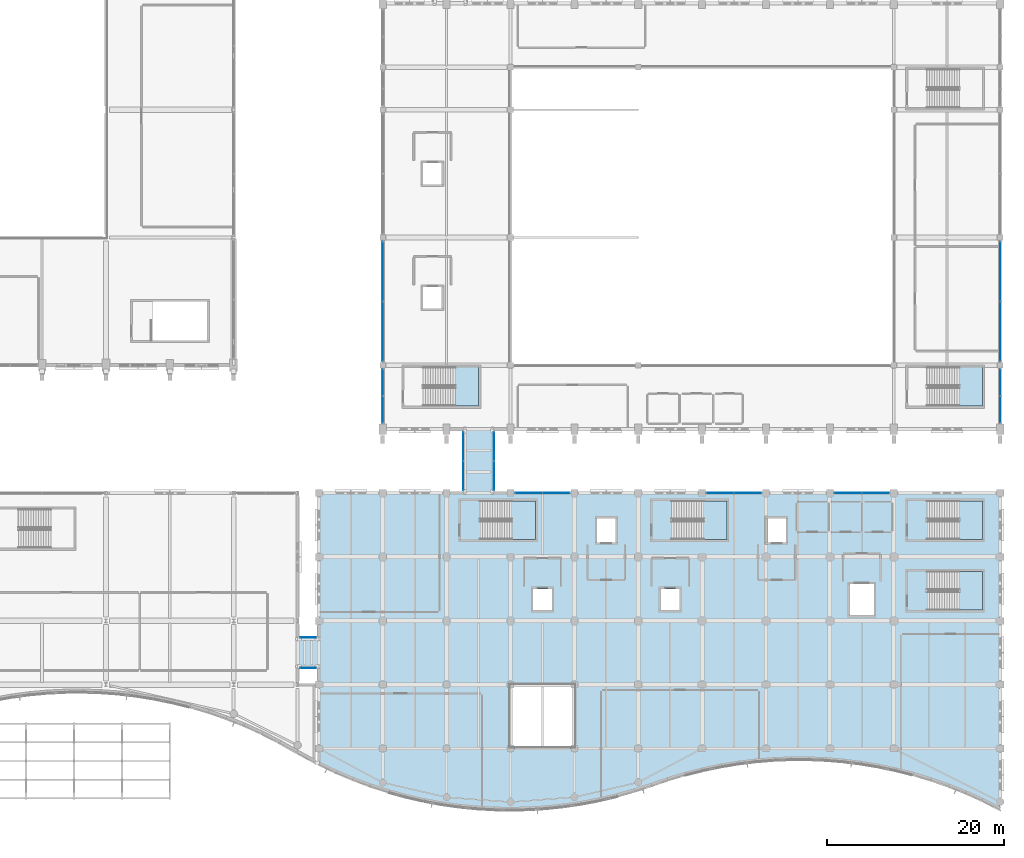
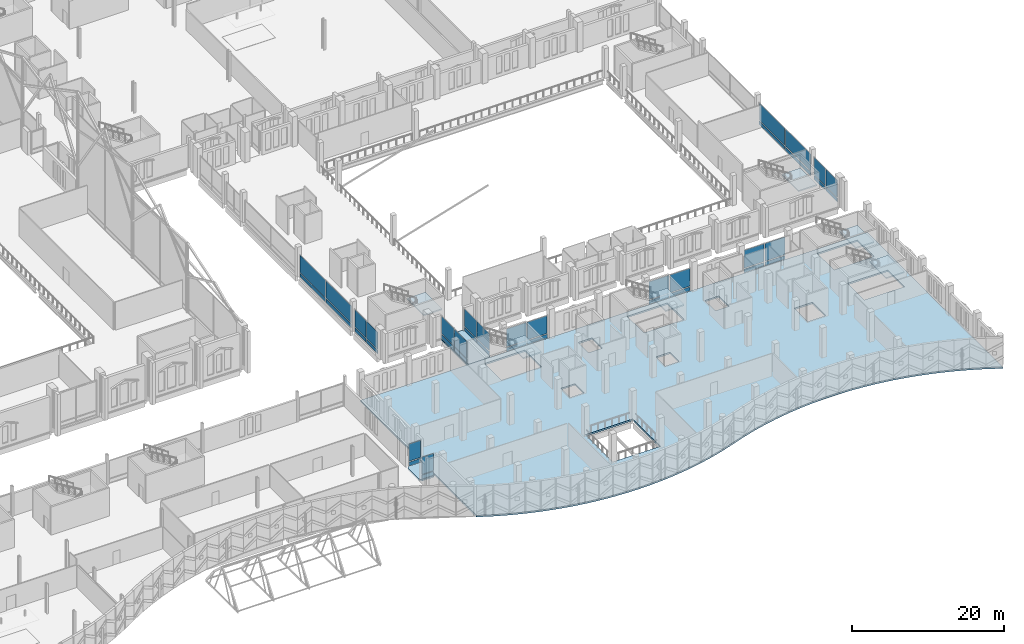
# One storey, part 132 of 220: 40 plates, 9 slabs, 17 elements without a shape of their own.
"""IFC4 building model written with IfcOpenShell, lengths in metres."""

import ifcopenshell
import ifcopenshell.guid

model = None  # the IFC model being written
_history = None  # IfcOwnerHistory: only IFC2X3 demands one
_inside = {}  # id of a spatial element -> (the spatial element, [elements in it])
_under = {}  # id of a project, library or spatial element -> (it, [spatial elements below it])
_declared = {}  # id of a project -> (the project, [libraries it declares])
_typed = {}  # id of a type object -> (the type object, [elements of that type])
_made_of = {}  # id of a material, layer set ... -> (it, [elements and type objects made of it])


def new_model(schema):
    """Start an empty IFC model of exactly this schema.

    Asked for "IFC4X3", IfcOpenShell would pick the latest addendum, in which some entities
    have other attributes; the version numbers below select the first issue.
    IFC2X3 requires an IfcOwnerHistory on every rooted entity: one is made here for all.
    """
    global model, _history
    if schema == "IFC4X3":
        model = ifcopenshell.file(schema_version=(4, 3, 0, 0))
    else:
        model = ifcopenshell.file(schema=schema)
    _inside.clear()
    _under.clear()
    _declared.clear()
    _typed.clear()
    _made_of.clear()
    _history = None
    if model.schema == "IFC2X3":
        org = make("IfcOrganization", Name="unknown")
        user = make(
            "IfcPersonAndOrganization",
            ThePerson=make("IfcPerson", FamilyName="unknown"),
            TheOrganization=org,
        )
        app = make(
            "IfcApplication",
            ApplicationDeveloper=org,
            Version="unknown",
            ApplicationFullName="unknown",
            ApplicationIdentifier="unknown",
        )
        _history = make(
            "IfcOwnerHistory",
            OwningUser=user,
            OwningApplication=app,
            ChangeAction="ADDED",
            CreationDate=0,
        )
    return model


def make(cls, **values):
    """One entity of the class cls with the attributes given. An attribute that is None is left unset."""
    return model.create_entity(
        cls, **{name: value for name, value in values.items() if value is not None}
    )


def rooted(cls, **values):
    """An entity with a GlobalId (a new one), such as an element, a storey or a relation."""
    return make(cls, GlobalId=ifcopenshell.guid.new(), OwnerHistory=_history, **values)


def si_unit(unit_type, name, prefix=None):
    """IfcSIUnit, for example si_unit("LENGTHUNIT", "METRE", prefix="MILLI")."""
    return make("IfcSIUnit", UnitType=unit_type, Prefix=prefix, Name=name)


def assignment(units):
    """IfcUnitAssignment: the units of a project."""
    return None if units is None else make("IfcUnitAssignment", Units=units)


def point(xyz):
    """IfcCartesianPoint."""
    return None if xyz is None else make("IfcCartesianPoint", Coordinates=xyz)


def direction(xyz):
    """IfcDirection."""
    return None if xyz is None else make("IfcDirection", DirectionRatios=xyz)


def frame(location, z_axis=None, x_axis=None):
    """IfcAxis2Placement3D, a coordinate frame: its origin and axes. An axis left out is left unset."""
    return make(
        "IfcAxis2Placement3D",
        Location=point(location),
        Axis=direction(z_axis),
        RefDirection=direction(x_axis),
    )


def frame_2d(location, x_axis=None):
    """IfcAxis2Placement2D, a coordinate frame in the plane: its origin and x axis."""
    return make(
        "IfcAxis2Placement2D", Location=point(location), RefDirection=direction(x_axis)
    )


def origin():
    """The frame at (0, 0, 0) with its axes left unset."""
    return frame((0.0, 0.0, 0.0))


def origin_2d():
    """The frame at (0, 0) in the plane with its x axis left unset."""
    return frame_2d((0.0, 0.0))


def place(relative_to, where):
    """IfcLocalPlacement: puts the frame where relative to a parent placement (None: the world)."""
    return make(
        "IfcLocalPlacement", PlacementRelTo=relative_to, RelativePlacement=where
    )


def context(
    kind, dimensions, precision=None, world=None, true_north=None, identifier=None
):
    """IfcGeometricRepresentationContext, for example the 3D "Model" context."""
    return make(
        "IfcGeometricRepresentationContext",
        ContextIdentifier=identifier,
        ContextType=kind,
        CoordinateSpaceDimension=dimensions,
        Precision=precision,
        WorldCoordinateSystem=world,
        TrueNorth=true_north,
    )


def subcontext(parent, identifier, kind, view, scale=None):
    """IfcGeometricRepresentationSubContext, for example "Body" below "Model"."""
    return make(
        "IfcGeometricRepresentationSubContext",
        ContextIdentifier=identifier,
        ContextType=kind,
        ParentContext=parent,
        TargetScale=scale,
        TargetView=view,
    )


def project(units=None, contexts=None):
    """IfcProject with its units and contexts."""
    return rooted(
        "IfcProject",
        Name="project",
        RepresentationContexts=contexts,
        UnitsInContext=assignment(units),
    )


def spatial(cls, under=None, at=None, **own):
    """A site, building, storey or space (cls), placed at a placement, below another one or the project."""
    s = rooted(cls, ObjectPlacement=at, **own)
    if under is not None:
        _under.setdefault(under.id(), (under, []))[1].append(s)
    return s


def polyline(points):
    """IfcPolyline through the points."""
    return make("IfcPolyline", Points=[point(p) for p in points])


def profile(cls, at=None, kind="AREA", **sizes):
    """A parametric profile (cls). Its sizes go by their IFC names, for example OverallWidth=200.0."""
    return make(cls, ProfileType=kind, Position=at, **sizes)


def rectangle(**sizes):
    """IfcRectangleProfileDef."""
    return profile("IfcRectangleProfileDef", **sizes)


def outline(outer, holes=None, kind="AREA"):
    """IfcArbitraryClosedProfileDef: a profile drawn as a closed curve; with holes, ...WithVoids."""
    if holes is None:
        return make("IfcArbitraryClosedProfileDef", ProfileType=kind, OuterCurve=outer)
    return make(
        "IfcArbitraryProfileDefWithVoids",
        ProfileType=kind,
        OuterCurve=outer,
        InnerCurves=holes,
    )


def extrude(swept, where, along, depth):
    """IfcExtrudedAreaSolid: the profile swept, set in the frame where, extruded along a direction by depth."""
    return make(
        "IfcExtrudedAreaSolid",
        SweptArea=swept,
        Position=where,
        ExtrudedDirection=direction(along),
        Depth=depth,
    )


def shape(context_of_items, identifier, shape_type, items):
    """IfcShapeRepresentation: the items that make up one representation, for example the "Body"."""
    return make(
        "IfcShapeRepresentation",
        ContextOfItems=context_of_items,
        RepresentationIdentifier=identifier,
        RepresentationType=shape_type,
        Items=items,
    )


def material(Name=None, Category=None):
    """IfcMaterial."""
    return make("IfcMaterial", Name=Name, Category=Category)


def layer(
    of_material, thickness, ventilated=None, Name=None, Category=None, Priority=None
):
    """IfcMaterialLayer: one layer of a wall or slab, of a material (None: an air gap)."""
    return make(
        "IfcMaterialLayer",
        Material=of_material,
        LayerThickness=thickness,
        IsVentilated=ventilated,
        Name=Name,
        Category=Category,
        Priority=Priority,
    )


def layer_set(layers, Name=None):
    """IfcMaterialLayerSet."""
    return make("IfcMaterialLayerSet", MaterialLayers=layers, LayerSetName=Name)


def made_of(thing, what):
    """Note that an element or type object is made of a material, layer set ...; save() writes the relation."""
    if what is not None:
        _made_of.setdefault(what.id(), (what, []))[1].append(thing)
    return thing


def type_object(cls, material=None, **own):
    """A type object (cls), such as IfcWallType, which elements share."""
    return made_of(rooted(cls, **own), material)


def element(
    cls,
    number,
    at=None,
    inside=None,
    cuts=None,
    type_object=None,
    material=None,
    context=None,
    identifier="Body",
    shape_type=None,
    held_by="IfcProductDefinitionShape",
    body=None,
    shapes=None,
    **own,
):
    """One element of the class cls, such as IfcWall. Its Tag is "e" and its number.

    at: its placement. inside: the storey or other place that contains it. cuts: it is an
    opening in that element (IfcRelVoidsElement). A single representation is given by context,
    identifier, shape_type and body (its items); several are given by shapes. held_by: the class
    of the entity that holds the representations. save() writes the other relations.
    """
    e = rooted(cls, Tag="e%d" % number, ObjectPlacement=at, **own)
    if body is not None:
        shapes = [shape(context, identifier, shape_type, body)]
    if shapes is not None:
        e.Representation = make(held_by, Representations=shapes)
    if inside is not None:
        _inside.setdefault(inside.id(), (inside, []))[1].append(e)
    if cuts is not None:
        rooted(
            "IfcRelVoidsElement", RelatingBuildingElement=cuts, RelatedOpeningElement=e
        )
    if type_object is not None:
        _typed.setdefault(type_object.id(), (type_object, []))[1].append(e)
    return made_of(e, material)


def aggregate(whole, parts):
    """IfcRelAggregates: a whole, such as a stair, and the parts it consists of."""
    return rooted("IfcRelAggregates", RelatingObject=whole, RelatedObjects=parts)


def save(model, path):
    """Write the relations noted so far, then the file.

    IfcRelAggregates (storeys below a building ...), IfcRelContainedInSpatialStructure (elements
    in a storey), IfcRelDefinesByType, IfcRelAssociatesMaterial and IfcRelDeclares: one each for
    every whole, place, type object, material and project.
    """
    for whole, parts in _under.values():
        aggregate(whole, parts)
    for where, things in _inside.values():
        rooted(
            "IfcRelContainedInSpatialStructure",
            RelatedElements=things,
            RelatingStructure=where,
        )
    for kind, things in _typed.values():
        rooted("IfcRelDefinesByType", RelatedObjects=things, RelatingType=kind)
    for what, things in _made_of.values():
        rooted("IfcRelAssociatesMaterial", RelatedObjects=things, RelatingMaterial=what)
    for by, libraries in _declared.values():
        rooted("IfcRelDeclares", RelatingContext=by, RelatedDefinitions=libraries)
    model.write(path)


model = new_model("IFC4")

# Units and contexts
model_context = context("Model", 3, precision=1e-05, world=origin(), true_north=direction((0.0, 1.0)))
body_context = subcontext(model_context, "Body", "Model", "MODEL_VIEW")
ifc_project = project(units=[si_unit("LENGTHUNIT", "METRE"), si_unit("AREAUNIT", "SQUARE_METRE"), si_unit("VOLUMEUNIT", "CUBIC_METRE"), si_unit("PLANEANGLEUNIT", "RADIAN"), si_unit("MASSUNIT", "GRAM", prefix="KILO")], contexts=[model_context])

# Site, building, storey
site_placement = place(None, origin())
site = spatial("IfcSite", under=ifc_project, at=site_placement, CompositionType="ELEMENT")
building_placement = place(site_placement, origin())
building = spatial("IfcBuilding", under=site, at=building_placement, Name="Cendralis Lancet Convention Centre", CompositionType="ELEMENT")
storey_placement = place(building_placement, frame((0.0, 0.0, 5.39990234375)))
storey = spatial("IfcBuildingStorey", under=building, at=storey_placement, Name="L01", CompositionType="ELEMENT", Elevation=5.39990234375)

# Curtain wall, plate
ifc_material_1 = material(Name="Anodised bronze architectural aluminium", Category="aluminium")
curtain_wall_type_1 = type_object("IfcCurtainWallType", Name="ARC-CW-BR01", PredefinedType="USERDEFINED", material=ifc_material_1)
curtain_wall_1_placement = place(storey_placement, origin())
curtain_wall_1 = element("IfcCurtainWall", 1, at=curtain_wall_1_placement, inside=storey, type_object=curtain_wall_type_1, Name="L01 Curtain Wall CW-BR1 #203", ObjectType="CURTAIN WALL", PredefinedType="USERDEFINED")
ifc_material_2 = material(Name="Double-glazed low-E solar-control glass", Category="glass")
ifc_layer_1 = layer(ifc_material_2, 0.035888671875, Name="Double-glazed low-E solar-control glass")
ifc_layer_set_1 = layer_set([ifc_layer_1], Name="Double-glazed low-E solar-control glass")
plate_type_1 = type_object("IfcPlateType", Name="ARC-PL-GL01", PredefinedType="CURTAIN_PANEL", material=ifc_layer_set_1)
plate_1_placement = place(storey_placement, frame((130.800048828125, 16.280029296875, 0.820068359375), z_axis=(0.0, 0.0, 1.0), x_axis=(1.0, 0.0, 0.0)))
plate_1 = element("IfcPlate", 2, at=plate_1_placement, type_object=plate_type_1, Name="Vision Glass Panel CW2-CW-BR1-L01-203-PG0", PredefinedType="CURTAIN_PANEL", context=body_context, shape_type="SweptSolid", body=[
    extrude(rectangle(XDim=1.760009765625, YDim=0.035888671875, at=origin_2d()), origin(), (0.0, 0.0, 1.0), 2.7451171875),
])

curtain_wall_2_placement = place(storey_placement, origin())
curtain_wall_2 = element("IfcCurtainWall", 3, at=curtain_wall_2_placement, inside=storey, type_object=curtain_wall_type_1, Name="L01 Curtain Wall CW-BR1 #204", ObjectType="CURTAIN WALL", PredefinedType="USERDEFINED")
plate_2_placement = place(storey_placement, frame((130.800048828125, 19.719970703125, 0.820068359375), z_axis=(0.0, 0.0, 1.0), x_axis=(1.0, 0.0, 0.0)))
plate_2 = element("IfcPlate", 4, at=plate_2_placement, type_object=plate_type_1, Name="Vision Glass Panel CW2-CW-BR1-L01-204-PG0", PredefinedType="CURTAIN_PANEL", context=body_context, shape_type="SweptSolid", body=[
    extrude(rectangle(XDim=1.760009765625, YDim=0.035888671875, at=origin_2d()), origin(), (0.0, 0.0, 1.0), 2.7451171875),
])

# Curtain wall, plates
curtain_wall_3_placement = place(storey_placement, origin())
curtain_wall_3 = element("IfcCurtainWall", 5, at=curtain_wall_3_placement, inside=storey, type_object=curtain_wall_type_1, Name="L01 Curtain Wall CW-BR1 #213", ObjectType="CURTAIN WALL", PredefinedType="USERDEFINED")
plate_3_placement = place(storey_placement, frame((148.280029296875, 37.925048828125, 0.820068359375), z_axis=(0.0, 0.0, 1.0), x_axis=(0.0, 1.0, 0.0)))
plate_3 = element("IfcPlate", 6, at=plate_3_placement, type_object=plate_type_1, Name="Vision Glass Panel CW2-CW-BR1-L01-213-PG0", PredefinedType="CURTAIN_PANEL", context=body_context, shape_type="SweptSolid", body=[
    extrude(rectangle(XDim=3.2099609375, YDim=0.035888671875, at=origin_2d()), origin(), (0.0, 0.0, 1.0), 2.7451171875),
])
plate_4_placement = place(storey_placement, frame((148.280029296875, 41.27490234375, 0.820068359375), z_axis=(0.0, 0.0, 1.0), x_axis=(0.0, 1.0, 0.0)))
plate_4 = element("IfcPlate", 7, at=plate_4_placement, type_object=plate_type_1, Name="Vision Glass Panel CW2-CW-BR1-L01-213-PG1", PredefinedType="CURTAIN_PANEL", context=body_context, shape_type="SweptSolid", body=[
    extrude(rectangle(XDim=3.2099609375, YDim=0.035888671875, at=origin_2d()), origin(), (0.0, 0.0, 1.0), 2.7451171875),
])

curtain_wall_4_placement = place(storey_placement, origin())
curtain_wall_4 = element("IfcCurtainWall", 8, at=curtain_wall_4_placement, inside=storey, type_object=curtain_wall_type_1, Name="L01 Curtain Wall CW-BR1 #214", ObjectType="CURTAIN WALL", PredefinedType="USERDEFINED")
plate_5_placement = place(storey_placement, frame((151.719970703125, 37.925048828125, 0.820068359375), z_axis=(0.0, 0.0, 1.0), x_axis=(0.0, 1.0, 0.0)))
plate_5 = element("IfcPlate", 9, at=plate_5_placement, type_object=plate_type_1, Name="Vision Glass Panel CW2-CW-BR1-L01-214-PG0", PredefinedType="CURTAIN_PANEL", context=body_context, shape_type="SweptSolid", body=[
    extrude(rectangle(XDim=3.2099609375, YDim=0.035888671875, at=origin_2d()), origin(), (0.0, 0.0, 1.0), 2.7451171875),
])
plate_6_placement = place(storey_placement, frame((151.719970703125, 41.27490234375, 0.820068359375), z_axis=(0.0, 0.0, 1.0), x_axis=(0.0, 1.0, 0.0)))
plate_6 = element("IfcPlate", 10, at=plate_6_placement, type_object=plate_type_1, Name="Vision Glass Panel CW2-CW-BR1-L01-214-PG1", PredefinedType="CURTAIN_PANEL", context=body_context, shape_type="SweptSolid", body=[
    extrude(rectangle(XDim=3.2099609375, YDim=0.035888671875, at=origin_2d()), origin(), (0.0, 0.0, 1.0), 2.7451171875),
])

curtain_wall_type_2 = type_object("IfcCurtainWallType", Name="ARC-CW-PL01", PredefinedType="USERDEFINED", material=ifc_material_1)
curtain_wall_5_placement = place(storey_placement, origin())
curtain_wall_5 = element("IfcCurtainWall", 11, at=curtain_wall_5_placement, inside=storey, type_object=curtain_wall_type_2, Name="L01 Curtain Wall CW-PL1 #121", ObjectType="CURTAIN WALL", PredefinedType="USERDEFINED")
ifc_layer_2 = layer(ifc_material_2, 0.035888671875, Name="Double-glazed low-E solar-control glass")
ifc_layer_set_2 = layer_set([ifc_layer_2], Name="Double-glazed low-E solar-control glass")
plate_type_2 = type_object("IfcPlateType", Name="ARC-PL-GL02", PredefinedType="CURTAIN_PANEL", material=ifc_layer_set_2)
plate_7_placement = place(storey_placement, frame((208.800048828125, 48.481201171875, 0.830078125), z_axis=(0.0, 0.0, 1.0), x_axis=(0.0, -1.0, 0.0)))
plate_7 = element("IfcPlate", 12, at=plate_7_placement, type_object=plate_type_2, Name="Vision Glass Panel CW2-CW-PL1-L01-121-PG0", PredefinedType="CURTAIN_PANEL", context=body_context, shape_type="SweptSolid", body=[
    extrude(rectangle(XDim=2.927490234375, YDim=0.035888671875, at=origin_2d()), origin(), (0.0, 0.0, 1.0), 2.72509765625),
])
plate_8_placement = place(storey_placement, frame((208.800048828125, 45.393798828125, 0.830078125), z_axis=(0.0, 0.0, 1.0), x_axis=(0.0, -1.0, 0.0)))
plate_8 = element("IfcPlate", 13, at=plate_8_placement, type_object=plate_type_2, Name="Vision Glass Panel CW2-CW-PL1-L01-121-PG1", PredefinedType="CURTAIN_PANEL", context=body_context, shape_type="SweptSolid", body=[
    extrude(rectangle(XDim=2.927490234375, YDim=0.035888671875, at=origin_2d()), origin(), (0.0, 0.0, 1.0), 2.72509765625),
])

curtain_wall_6_placement = place(storey_placement, origin())
curtain_wall_6 = element("IfcCurtainWall", 14, at=curtain_wall_6_placement, inside=storey, type_object=curtain_wall_type_2, Name="L01 Curtain Wall CW-PL1 #122", ObjectType="CURTAIN WALL", PredefinedType="USERDEFINED")
plate_9_placement = place(storey_placement, frame((208.800048828125, 61.012451171875, 0.830078125), z_axis=(0.0, 0.0, 1.0), x_axis=(0.0, -1.0, 0.0)))
plate_9 = element("IfcPlate", 15, at=plate_9_placement, type_object=plate_type_2, Name="Vision Glass Panel CW2-CW-PL1-L01-122-PG0", PredefinedType="CURTAIN_PANEL", context=body_context, shape_type="SweptSolid", body=[
    extrude(rectangle(XDim=6.6650390625, YDim=0.035888671875, at=origin_2d()), origin(), (0.0, 0.0, 1.0), 2.72509765625),
])
plate_10_placement = place(storey_placement, frame((208.800048828125, 54.1875, 0.830078125), z_axis=(0.0, 0.0, 1.0), x_axis=(0.0, -1.0, 0.0)))
plate_10 = element("IfcPlate", 16, at=plate_10_placement, type_object=plate_type_2, Name="Vision Glass Panel CW2-CW-PL1-L01-122-PG1", PredefinedType="CURTAIN_PANEL", context=body_context, shape_type="SweptSolid", body=[
    extrude(rectangle(XDim=6.6650390625, YDim=0.035888671875, at=origin_2d()), origin(), (0.0, 0.0, 1.0), 2.72509765625),
])

curtain_wall_7_placement = place(storey_placement, origin())
curtain_wall_7 = element("IfcCurtainWall", 17, at=curtain_wall_7_placement, inside=storey, type_object=curtain_wall_type_2, Name="L01 Curtain Wall CW-PL1 #116", ObjectType="CURTAIN WALL", PredefinedType="USERDEFINED")
ifc_layer_3 = layer(ifc_material_2, 0.035888671875, Name="Double-glazed low-E solar-control glass")
ifc_layer_set_3 = layer_set([ifc_layer_3], Name="Double-glazed low-E solar-control glass")
plate_type_3 = type_object("IfcPlateType", Name="ARC-PL-GL03", PredefinedType="CURTAIN_PANEL", material=ifc_layer_set_3)
plate_11_placement = place(storey_placement, frame((139.199951171875, 45.393798828125, 0.820068359375), z_axis=(0.0, 0.0, 1.0), x_axis=(0.0, 1.0, 0.0)))
plate_11 = element("IfcPlate", 18, at=plate_11_placement, type_object=plate_type_3, Name="Vision Glass Panel CW2-CW-PL1-L01-116-PG0", PredefinedType="CURTAIN_PANEL", context=body_context, shape_type="SweptSolid", body=[
    extrude(rectangle(XDim=2.927490234375, YDim=0.035888671875, at=origin_2d()), origin(), (0.0, 0.0, 1.0), 2.7451171875),
])
plate_12_placement = place(storey_placement, frame((139.199951171875, 48.481201171875, 0.820068359375), z_axis=(0.0, 0.0, 1.0), x_axis=(0.0, 1.0, 0.0)))
plate_12 = element("IfcPlate", 19, at=plate_12_placement, type_object=plate_type_3, Name="Vision Glass Panel CW2-CW-PL1-L01-116-PG1", PredefinedType="CURTAIN_PANEL", context=body_context, shape_type="SweptSolid", body=[
    extrude(rectangle(XDim=2.927490234375, YDim=0.035888671875, at=origin_2d()), origin(), (0.0, 0.0, 1.0), 2.7451171875),
])

curtain_wall_8_placement = place(storey_placement, origin())
curtain_wall_8 = element("IfcCurtainWall", 20, at=curtain_wall_8_placement, inside=storey, type_object=curtain_wall_type_2, Name="L01 Curtain Wall CW-PL1 #117", ObjectType="CURTAIN WALL", PredefinedType="USERDEFINED")
plate_13_placement = place(storey_placement, frame((139.199951171875, 54.1875, 0.820068359375), z_axis=(0.0, 0.0, 1.0), x_axis=(0.0, 1.0, 0.0)))
plate_13 = element("IfcPlate", 21, at=plate_13_placement, type_object=plate_type_3, Name="Vision Glass Panel CW2-CW-PL1-L01-117-PG0", PredefinedType="CURTAIN_PANEL", context=body_context, shape_type="SweptSolid", body=[
    extrude(rectangle(XDim=6.6650390625, YDim=0.035888671875, at=origin_2d()), origin(), (0.0, 0.0, 1.0), 2.7451171875),
])
plate_14_placement = place(storey_placement, frame((139.199951171875, 61.012451171875, 0.820068359375), z_axis=(0.0, 0.0, 1.0), x_axis=(0.0, 1.0, 0.0)))
plate_14 = element("IfcPlate", 22, at=plate_14_placement, type_object=plate_type_3, Name="Vision Glass Panel CW2-CW-PL1-L01-117-PG1", PredefinedType="CURTAIN_PANEL", context=body_context, shape_type="SweptSolid", body=[
    extrude(rectangle(XDim=6.6650390625, YDim=0.035888671875, at=origin_2d()), origin(), (0.0, 0.0, 1.0), 2.7451171875),
])

curtain_wall_type_3 = type_object("IfcCurtainWallType", Name="ARC-CW-CL02", PredefinedType="USERDEFINED", material=ifc_material_1)
curtain_wall_9_placement = place(storey_placement, origin())
curtain_wall_9 = element("IfcCurtainWall", 23, at=curtain_wall_9_placement, inside=storey, type_object=curtain_wall_type_3, Name="L01 Curtain Wall CW-CL2 #182", ObjectType="CURTAIN WALL", PredefinedType="USERDEFINED")
plate_15_placement = place(storey_placement, frame((155.625, 36.0, 0.8203125), z_axis=(0.0, 0.0, 1.0), x_axis=(1.0, 0.0, 0.0)))
plate_15 = element("IfcPlate", 24, at=plate_15_placement, type_object=plate_type_3, Name="Vision Glass Panel CW2-CW-CL2-L01-182-PG0", PredefinedType="CURTAIN_PANEL", context=body_context, shape_type="SweptSolid", body=[
    extrude(rectangle(XDim=3.010009765625, YDim=0.035888671875, at=origin_2d()), origin(), (0.0, 0.0, 1.0), 2.844970703125),
])
plate_16_placement = place(storey_placement, frame((158.77490234375, 36.0, 0.8203125), z_axis=(0.0, 0.0, 1.0), x_axis=(1.0, 0.0, 0.0)))
plate_16 = element("IfcPlate", 25, at=plate_16_placement, type_object=plate_type_3, Name="Vision Glass Panel CW2-CW-CL2-L01-182-PG1", PredefinedType="CURTAIN_PANEL", context=body_context, shape_type="SweptSolid", body=[
    extrude(rectangle(XDim=3.010009765625, YDim=0.035888671875, at=origin_2d()), origin(), (0.0, 0.0, 1.0), 2.844970703125),
])

curtain_wall_10_placement = place(storey_placement, origin())
curtain_wall_10 = element("IfcCurtainWall", 26, at=curtain_wall_10_placement, inside=storey, type_object=curtain_wall_type_3, Name="L01 Curtain Wall CW-CL2 #183", ObjectType="CURTAIN WALL", PredefinedType="USERDEFINED")
plate_17_placement = place(storey_placement, frame((177.22509765625, 36.0, 0.8203125), z_axis=(0.0, 0.0, 1.0), x_axis=(1.0, 0.0, 0.0)))
plate_17 = element("IfcPlate", 27, at=plate_17_placement, type_object=plate_type_3, Name="Vision Glass Panel CW2-CW-CL2-L01-183-PG0", PredefinedType="CURTAIN_PANEL", context=body_context, shape_type="SweptSolid", body=[
    extrude(rectangle(XDim=3.010009765625, YDim=0.035888671875, at=origin_2d()), origin(), (0.0, 0.0, 1.0), 2.844970703125),
])
plate_18_placement = place(storey_placement, frame((180.375, 36.0, 0.8203125), z_axis=(0.0, 0.0, 1.0), x_axis=(1.0, 0.0, 0.0)))
plate_18 = element("IfcPlate", 28, at=plate_18_placement, type_object=plate_type_3, Name="Vision Glass Panel CW2-CW-CL2-L01-183-PG1", PredefinedType="CURTAIN_PANEL", context=body_context, shape_type="SweptSolid", body=[
    extrude(rectangle(XDim=3.010009765625, YDim=0.035888671875, at=origin_2d()), origin(), (0.0, 0.0, 1.0), 2.844970703125),
])

curtain_wall_11_placement = place(storey_placement, origin())
curtain_wall_11 = element("IfcCurtainWall", 29, at=curtain_wall_11_placement, inside=storey, type_object=curtain_wall_type_3, Name="L01 Curtain Wall CW-CL2 #184", ObjectType="CURTAIN WALL", PredefinedType="USERDEFINED")
plate_19_placement = place(storey_placement, frame((191.625, 36.0, 0.8203125), z_axis=(0.0, 0.0, 1.0), x_axis=(1.0, 0.0, 0.0)))
plate_19 = element("IfcPlate", 30, at=plate_19_placement, type_object=plate_type_3, Name="Vision Glass Panel CW2-CW-CL2-L01-184-PG0", PredefinedType="CURTAIN_PANEL", context=body_context, shape_type="SweptSolid", body=[
    extrude(rectangle(XDim=3.010009765625, YDim=0.035888671875, at=origin_2d()), origin(), (0.0, 0.0, 1.0), 2.844970703125),
])
plate_20_placement = place(storey_placement, frame((194.77490234375, 36.0, 0.8203125), z_axis=(0.0, 0.0, 1.0), x_axis=(1.0, 0.0, 0.0)))
plate_20 = element("IfcPlate", 31, at=plate_20_placement, type_object=plate_type_3, Name="Vision Glass Panel CW2-CW-CL2-L01-184-PG1", PredefinedType="CURTAIN_PANEL", context=body_context, shape_type="SweptSolid", body=[
    extrude(rectangle(XDim=3.010009765625, YDim=0.035888671875, at=origin_2d()), origin(), (0.0, 0.0, 1.0), 2.844970703125),
])

# Plate
ifc_material_3 = material(Name="Insulated ceramic-fritted spandrel glass", Category="glass")
ifc_layer_4 = layer(ifc_material_3, 0.044921875, Name="Insulated ceramic-fritted spandrel glass")
ifc_layer_set_4 = layer_set([ifc_layer_4], Name="Insulated ceramic-fritted spandrel glass")
plate_type_4 = type_object("IfcPlateType", Name="ARC-PL-SP01", PredefinedType="CURTAIN_PANEL", material=ifc_layer_set_4)
plate_21_placement = place(storey_placement, frame((139.199951171875, 45.393798828125, 0.06982421875), z_axis=(0.0, 0.0, 1.0), x_axis=(0.0, 1.0, 0.0)))
plate_21 = element("IfcPlate", 32, at=plate_21_placement, type_object=plate_type_4, Name="Spandrel Panel CW2-CW-PL1-L01-116-PS0", PredefinedType="CURTAIN_PANEL", context=body_context, shape_type="SweptSolid", body=[
    extrude(rectangle(XDim=2.927490234375, YDim=0.044921875, at=origin_2d()), origin(), (0.0, 0.0, 1.0), 0.610107421875),
])

plate_22_placement = place(storey_placement, frame((139.199951171875, 48.481201171875, 0.06982421875), z_axis=(0.0, 0.0, 1.0), x_axis=(0.0, 1.0, 0.0)))
plate_22 = element("IfcPlate", 33, at=plate_22_placement, type_object=plate_type_4, Name="Spandrel Panel CW2-CW-PL1-L01-116-PS1", PredefinedType="CURTAIN_PANEL", context=body_context, shape_type="SweptSolid", body=[
    extrude(rectangle(XDim=2.927490234375, YDim=0.044921875, at=origin_2d()), origin(), (0.0, 0.0, 1.0), 0.610107421875),
])

aggregate(curtain_wall_7, [plate_21, plate_11, plate_22, plate_12])

plate_23_placement = place(storey_placement, frame((139.199951171875, 54.1875, 0.06982421875), z_axis=(0.0, 0.0, 1.0), x_axis=(0.0, 1.0, 0.0)))
plate_23 = element("IfcPlate", 34, at=plate_23_placement, type_object=plate_type_4, Name="Spandrel Panel CW2-CW-PL1-L01-117-PS0", PredefinedType="CURTAIN_PANEL", context=body_context, shape_type="SweptSolid", body=[
    extrude(rectangle(XDim=6.6650390625, YDim=0.044921875, at=origin_2d()), origin(), (0.0, 0.0, 1.0), 0.610107421875),
])

plate_24_placement = place(storey_placement, frame((139.199951171875, 61.012451171875, 0.06982421875), z_axis=(0.0, 0.0, 1.0), x_axis=(0.0, 1.0, 0.0)))
plate_24 = element("IfcPlate", 35, at=plate_24_placement, type_object=plate_type_4, Name="Spandrel Panel CW2-CW-PL1-L01-117-PS1", PredefinedType="CURTAIN_PANEL", context=body_context, shape_type="SweptSolid", body=[
    extrude(rectangle(XDim=6.6650390625, YDim=0.044921875, at=origin_2d()), origin(), (0.0, 0.0, 1.0), 0.610107421875),
])

aggregate(curtain_wall_8, [plate_23, plate_13, plate_24, plate_14])

plate_25_placement = place(storey_placement, frame((208.800048828125, 48.481201171875, 0.080078125), z_axis=(0.0, 0.0, 1.0), x_axis=(0.0, -1.0, 0.0)))
plate_25 = element("IfcPlate", 36, at=plate_25_placement, type_object=plate_type_4, Name="Spandrel Panel CW2-CW-PL1-L01-121-PS0", PredefinedType="CURTAIN_PANEL", context=body_context, shape_type="SweptSolid", body=[
    extrude(rectangle(XDim=2.927490234375, YDim=0.044921875, at=origin_2d()), origin(), (0.0, 0.0, 1.0), 0.590087890625),
])

plate_26_placement = place(storey_placement, frame((208.800048828125, 45.393798828125, 0.080078125), z_axis=(0.0, 0.0, 1.0), x_axis=(0.0, -1.0, 0.0)))
plate_26 = element("IfcPlate", 37, at=plate_26_placement, type_object=plate_type_4, Name="Spandrel Panel CW2-CW-PL1-L01-121-PS1", PredefinedType="CURTAIN_PANEL", context=body_context, shape_type="SweptSolid", body=[
    extrude(rectangle(XDim=2.927490234375, YDim=0.044921875, at=origin_2d()), origin(), (0.0, 0.0, 1.0), 0.590087890625),
])

aggregate(curtain_wall_5, [plate_25, plate_7, plate_26, plate_8])

plate_27_placement = place(storey_placement, frame((208.800048828125, 61.012451171875, 0.080078125), z_axis=(0.0, 0.0, 1.0), x_axis=(0.0, -1.0, 0.0)))
plate_27 = element("IfcPlate", 38, at=plate_27_placement, type_object=plate_type_4, Name="Spandrel Panel CW2-CW-PL1-L01-122-PS0", PredefinedType="CURTAIN_PANEL", context=body_context, shape_type="SweptSolid", body=[
    extrude(rectangle(XDim=6.6650390625, YDim=0.044921875, at=origin_2d()), origin(), (0.0, 0.0, 1.0), 0.590087890625),
])

plate_28_placement = place(storey_placement, frame((208.800048828125, 54.1875, 0.080078125), z_axis=(0.0, 0.0, 1.0), x_axis=(0.0, -1.0, 0.0)))
plate_28 = element("IfcPlate", 39, at=plate_28_placement, type_object=plate_type_4, Name="Spandrel Panel CW2-CW-PL1-L01-122-PS1", PredefinedType="CURTAIN_PANEL", context=body_context, shape_type="SweptSolid", body=[
    extrude(rectangle(XDim=6.6650390625, YDim=0.044921875, at=origin_2d()), origin(), (0.0, 0.0, 1.0), 0.590087890625),
])

aggregate(curtain_wall_6, [plate_27, plate_9, plate_28, plate_10])

plate_29_placement = place(storey_placement, frame((155.625, 36.0, 0.06982421875), z_axis=(0.0, 0.0, 1.0), x_axis=(1.0, 0.0, 0.0)))
plate_29 = element("IfcPlate", 40, at=plate_29_placement, type_object=plate_type_4, Name="Spandrel Panel CW2-CW-CL2-L01-182-PS0", PredefinedType="CURTAIN_PANEL", context=body_context, shape_type="SweptSolid", body=[
    extrude(rectangle(XDim=3.010009765625, YDim=0.044921875, at=origin_2d()), origin(), (0.0, 0.0, 1.0), 0.610107421875),
])

plate_30_placement = place(storey_placement, frame((158.77490234375, 36.0, 0.06982421875), z_axis=(0.0, 0.0, 1.0), x_axis=(1.0, 0.0, 0.0)))
plate_30 = element("IfcPlate", 41, at=plate_30_placement, type_object=plate_type_4, Name="Spandrel Panel CW2-CW-CL2-L01-182-PS1", PredefinedType="CURTAIN_PANEL", context=body_context, shape_type="SweptSolid", body=[
    extrude(rectangle(XDim=3.010009765625, YDim=0.044921875, at=origin_2d()), origin(), (0.0, 0.0, 1.0), 0.610107421875),
])

aggregate(curtain_wall_9, [plate_29, plate_15, plate_30, plate_16])

plate_31_placement = place(storey_placement, frame((177.22509765625, 36.0, 0.06982421875), z_axis=(0.0, 0.0, 1.0), x_axis=(1.0, 0.0, 0.0)))
plate_31 = element("IfcPlate", 42, at=plate_31_placement, type_object=plate_type_4, Name="Spandrel Panel CW2-CW-CL2-L01-183-PS0", PredefinedType="CURTAIN_PANEL", context=body_context, shape_type="SweptSolid", body=[
    extrude(rectangle(XDim=3.010009765625, YDim=0.044921875, at=origin_2d()), origin(), (0.0, 0.0, 1.0), 0.610107421875),
])

plate_32_placement = place(storey_placement, frame((180.375, 36.0, 0.06982421875), z_axis=(0.0, 0.0, 1.0), x_axis=(1.0, 0.0, 0.0)))
plate_32 = element("IfcPlate", 43, at=plate_32_placement, type_object=plate_type_4, Name="Spandrel Panel CW2-CW-CL2-L01-183-PS1", PredefinedType="CURTAIN_PANEL", context=body_context, shape_type="SweptSolid", body=[
    extrude(rectangle(XDim=3.010009765625, YDim=0.044921875, at=origin_2d()), origin(), (0.0, 0.0, 1.0), 0.610107421875),
])

aggregate(curtain_wall_10, [plate_31, plate_17, plate_32, plate_18])

plate_33_placement = place(storey_placement, frame((191.625, 36.0, 0.06982421875), z_axis=(0.0, 0.0, 1.0), x_axis=(1.0, 0.0, 0.0)))
plate_33 = element("IfcPlate", 44, at=plate_33_placement, type_object=plate_type_4, Name="Spandrel Panel CW2-CW-CL2-L01-184-PS0", PredefinedType="CURTAIN_PANEL", context=body_context, shape_type="SweptSolid", body=[
    extrude(rectangle(XDim=3.010009765625, YDim=0.044921875, at=origin_2d()), origin(), (0.0, 0.0, 1.0), 0.610107421875),
])

plate_34_placement = place(storey_placement, frame((194.77490234375, 36.0, 0.06982421875), z_axis=(0.0, 0.0, 1.0), x_axis=(1.0, 0.0, 0.0)))
plate_34 = element("IfcPlate", 45, at=plate_34_placement, type_object=plate_type_4, Name="Spandrel Panel CW2-CW-CL2-L01-184-PS1", PredefinedType="CURTAIN_PANEL", context=body_context, shape_type="SweptSolid", body=[
    extrude(rectangle(XDim=3.010009765625, YDim=0.044921875, at=origin_2d()), origin(), (0.0, 0.0, 1.0), 0.610107421875),
])

aggregate(curtain_wall_11, [plate_33, plate_19, plate_34, plate_20])

plate_35_placement = place(storey_placement, frame((130.800048828125, 16.280029296875, 0.06982421875), z_axis=(0.0, 0.0, 1.0), x_axis=(1.0, 0.0, 0.0)))
plate_35 = element("IfcPlate", 46, at=plate_35_placement, type_object=plate_type_4, Name="Spandrel Panel CW2-CW-BR1-L01-203-PS0", PredefinedType="CURTAIN_PANEL", context=body_context, shape_type="SweptSolid", body=[
    extrude(rectangle(XDim=1.760009765625, YDim=0.044921875, at=origin_2d()), origin(), (0.0, 0.0, 1.0), 0.610107421875),
])

aggregate(curtain_wall_1, [plate_35, plate_1])

plate_36_placement = place(storey_placement, frame((130.800048828125, 19.719970703125, 0.06982421875), z_axis=(0.0, 0.0, 1.0), x_axis=(1.0, 0.0, 0.0)))
plate_36 = element("IfcPlate", 47, at=plate_36_placement, type_object=plate_type_4, Name="Spandrel Panel CW2-CW-BR1-L01-204-PS0", PredefinedType="CURTAIN_PANEL", context=body_context, shape_type="SweptSolid", body=[
    extrude(rectangle(XDim=1.760009765625, YDim=0.044921875, at=origin_2d()), origin(), (0.0, 0.0, 1.0), 0.610107421875),
])

aggregate(curtain_wall_2, [plate_36, plate_2])

plate_37_placement = place(storey_placement, frame((148.280029296875, 37.925048828125, 0.06982421875), z_axis=(0.0, 0.0, 1.0), x_axis=(0.0, 1.0, 0.0)))
plate_37 = element("IfcPlate", 48, at=plate_37_placement, type_object=plate_type_4, Name="Spandrel Panel CW2-CW-BR1-L01-213-PS0", PredefinedType="CURTAIN_PANEL", context=body_context, shape_type="SweptSolid", body=[
    extrude(rectangle(XDim=3.2099609375, YDim=0.044921875, at=origin_2d()), origin(), (0.0, 0.0, 1.0), 0.610107421875),
])

plate_38_placement = place(storey_placement, frame((148.280029296875, 41.27490234375, 0.06982421875), z_axis=(0.0, 0.0, 1.0), x_axis=(0.0, 1.0, 0.0)))
plate_38 = element("IfcPlate", 49, at=plate_38_placement, type_object=plate_type_4, Name="Spandrel Panel CW2-CW-BR1-L01-213-PS1", PredefinedType="CURTAIN_PANEL", context=body_context, shape_type="SweptSolid", body=[
    extrude(rectangle(XDim=3.2099609375, YDim=0.044921875, at=origin_2d()), origin(), (0.0, 0.0, 1.0), 0.610107421875),
])

aggregate(curtain_wall_3, [plate_37, plate_3, plate_38, plate_4])

plate_39_placement = place(storey_placement, frame((151.719970703125, 37.925048828125, 0.06982421875), z_axis=(0.0, 0.0, 1.0), x_axis=(0.0, 1.0, 0.0)))
plate_39 = element("IfcPlate", 50, at=plate_39_placement, type_object=plate_type_4, Name="Spandrel Panel CW2-CW-BR1-L01-214-PS0", PredefinedType="CURTAIN_PANEL", context=body_context, shape_type="SweptSolid", body=[
    extrude(rectangle(XDim=3.2099609375, YDim=0.044921875, at=origin_2d()), origin(), (0.0, 0.0, 1.0), 0.610107421875),
])

plate_40_placement = place(storey_placement, frame((151.719970703125, 41.27490234375, 0.06982421875), z_axis=(0.0, 0.0, 1.0), x_axis=(0.0, 1.0, 0.0)))
plate_40 = element("IfcPlate", 51, at=plate_40_placement, type_object=plate_type_4, Name="Spandrel Panel CW2-CW-BR1-L01-214-PS1", PredefinedType="CURTAIN_PANEL", context=body_context, shape_type="SweptSolid", body=[
    extrude(rectangle(XDim=3.2099609375, YDim=0.044921875, at=origin_2d()), origin(), (0.0, 0.0, 1.0), 0.610107421875),
])

aggregate(curtain_wall_4, [plate_39, plate_5, plate_40, plate_6])

# Slabs
ifc_material_4 = material(Name="Concrete G35 (C35/45)", Category="concrete")
ifc_layer_5 = layer(ifc_material_4, 0.219970703125, Name="Concrete G35 (C35/45)")
ifc_layer_set_5 = layer_set([ifc_layer_5], Name="Concrete G35 (C35/45)")
slab_type_1 = type_object("IfcSlabType", Name="STR-SL-FS22", PredefinedType="FLOOR", material=ifc_layer_set_5)
slab_1_placement = place(storey_placement, frame((0.0, 0.0, -0.219970703125)))
element("IfcSlab", 52, at=slab_1_placement, inside=storey, type_object=slab_type_1, Name="Boulevard Foyer-Dining Link Bridge Link Slab L01", PredefinedType="FLOOR", context=body_context, shape_type="SweptSolid", body=[
    extrude(outline(polyline([(129.949951171875, 16.199951171875), (131.64990234375, 16.199951171875), (132.0, 16.550048828125), (132.0, 19.449951171875), (131.64990234375, 19.800048828125), (129.949951171875, 19.800048828125), (129.60009765625, 19.449951171875), (129.60009765625, 16.550048828125), (129.949951171875, 16.199951171875)])), origin(), (0.0, 0.0, 1.0), 0.219970703125),
])
slab_2_placement = place(storey_placement, frame((0.0, 0.0, -0.219970703125)))
element("IfcSlab", 53, at=slab_2_placement, inside=storey, type_object=slab_type_1, Name="East Promenade Covered Passage Link Slab L01", PredefinedType="FLOOR", context=body_context, shape_type="SweptSolid", body=[
    extrude(outline(polyline([(148.550048828125, 36.0), (151.449951171875, 36.0), (151.800048828125, 36.35009765625), (151.800048828125, 42.85009765625), (151.449951171875, 43.199951171875), (148.550048828125, 43.199951171875), (148.199951171875, 42.85009765625), (148.199951171875, 36.35009765625), (148.550048828125, 36.0)])), origin(), (0.0, 0.0, 1.0), 0.219970703125),
])
ifc_layer_6 = layer(ifc_material_4, 0.260009765625, Name="Concrete G35 (C35/45)")
ifc_layer_set_6 = layer_set([ifc_layer_6], Name="Concrete G35 (C35/45)")
slab_type_2 = type_object("IfcSlabType", Name="STR-SL-FS26", PredefinedType="FLOOR", material=ifc_layer_set_6)
slab_3_placement = place(storey_placement, frame((0.0, 0.0, -0.260009765625)))
element("IfcSlab", 54, at=slab_3_placement, inside=storey, type_object=slab_type_2, Name="L01 V5 Floor Slab FS-260", PredefinedType="FLOOR", context=body_context, shape_type="SweptSolid", body=[
    extrude(outline(polyline([(132.0, 5.56005859375), (133.968994140625, 4.6259765625), (135.93798828125, 3.798095703125), (137.907958984375, 3.071044921875), (139.876953125, 2.43896484375), (141.845947265625, 1.89892578125), (143.81494140625, 1.447998046875), (145.784912109375, 1.08203125), (147.75390625, 0.801025390625), (149.722900390625, 0.60302734375), (151.69189453125, 0.486083984375), (153.662109375, 0.449951171875), (155.631103515625, 0.4951171875), (157.60009765625, 0.62109375), (159.569091796875, 0.8291015625), (161.5380859375, 1.118896484375), (163.508056640625, 1.493896484375), (165.47705078125, 1.955078125), (167.446044921875, 2.5048828125), (169.4150390625, 3.14697265625), (171.385009765625, 3.825927734375), (173.35400390625, 4.416015625), (175.322998046875, 4.916015625), (177.2919921875, 5.327880859375), (179.261962890625, 5.655029296875), (181.23095703125, 5.89794921875), (183.199951171875, 6.06005859375), (185.1689453125, 6.139892578125), (187.137939453125, 6.139892578125), (189.10791015625, 6.05810546875), (191.076904296875, 5.89501953125), (193.0458984375, 5.64990234375), (195.014892578125, 5.322021484375), (196.985107421875, 4.907958984375), (198.9541015625, 4.407958984375), (200.923095703125, 3.81591796875), (202.89208984375, 3.131103515625), (204.862060546875, 2.347900390625), (206.8310546875, 1.4609375), (208.800048828125, 0.464111328125), (208.800048828125, 36.0), (132.0, 36.0), (132.0, 5.56005859375)]), holes=[polyline([(153.60009765625, 7.199951171875), (160.800048828125, 7.199951171875), (160.800048828125, 14.39990234375), (153.60009765625, 14.39990234375), (153.60009765625, 7.199951171875)]), polyline([(150.31005859375, 30.75), (156.39990234375, 30.75), (156.39990234375, 35.1298828125), (150.31005859375, 35.1298828125), (150.31005859375, 30.75)]), polyline([(171.909912109375, 30.75), (178.0, 30.75), (178.0, 35.1298828125), (171.909912109375, 35.1298828125), (171.909912109375, 30.75)]), polyline([(200.7099609375, 22.800048828125), (206.800048828125, 22.800048828125), (206.800048828125, 27.179931640625), (200.7099609375, 27.179931640625), (200.7099609375, 22.800048828125)]), polyline([(200.7099609375, 30.75), (206.800048828125, 30.75), (206.800048828125, 35.1298828125), (200.7099609375, 35.1298828125), (200.7099609375, 30.75)]), polyline([(163.35009765625, 30.449951171875), (165.449951171875, 30.449951171875), (165.449951171875, 33.14990234375), (163.35009765625, 33.14990234375), (163.35009765625, 30.449951171875)]), polyline([(182.550048828125, 30.449951171875), (184.64990234375, 30.449951171875), (184.64990234375, 33.14990234375), (182.550048828125, 33.14990234375), (182.550048828125, 30.449951171875)]), polyline([(156.14990234375, 22.800048828125), (158.25, 22.800048828125), (158.25, 25.199951171875), (156.14990234375, 25.199951171875), (156.14990234375, 22.800048828125)]), polyline([(170.550048828125, 22.800048828125), (172.64990234375, 22.800048828125), (172.64990234375, 25.199951171875), (170.550048828125, 25.199951171875), (170.550048828125, 22.800048828125)]), polyline([(191.85009765625, 22.25), (194.550048828125, 22.25), (194.550048828125, 25.75), (191.85009765625, 25.75), (191.85009765625, 22.25)])]), origin(), (0.0, 0.0, 1.0), 0.260009765625),
])

# Stair, slab
stair_type = type_object("IfcStairType", Name="ARC-ST-CORE", PredefinedType="HALF_TURN_STAIR", material=ifc_material_4)
stair_1_placement = place(storey_placement, origin())
stair_1 = element("IfcStair", 55, at=stair_1_placement, inside=storey, type_object=stair_type, Name="L01 Protected Exit Stair ST-08", PredefinedType="HALF_TURN_STAIR")
ifc_layer_7 = layer(ifc_material_4, 0.199951171875, Name="Concrete G35 (C35/45)")
ifc_layer_set_7 = layer_set([ifc_layer_7], Name="Concrete G35 (C35/45)")
slab_type_3 = type_object("IfcSlabType", Name="STR-SL-LAND", PredefinedType="LANDING", material=ifc_layer_set_7)
slab_4_placement = place(storey_placement, frame((0.0, 0.0, 2.2001953125)))
slab_4 = element("IfcSlab", 56, at=slab_4_placement, type_object=slab_type_3, Name="ST-08 landing 1", PredefinedType="LANDING", context=body_context, shape_type="SweptSolid", body=[
    extrude(outline(polyline([(147.22998046875, 45.800048828125), (150.0, 45.800048828125), (150.0, 50.179931640625), (147.22998046875, 50.179931640625), (147.22998046875, 45.800048828125)])), origin(), (0.0, 0.0, 1.0), 0.199951171875),
])
aggregate(stair_1, [slab_4])

stair_2_placement = place(storey_placement, origin())
stair_2 = element("IfcStair", 57, at=stair_2_placement, inside=storey, type_object=stair_type, Name="L01 Protected Exit Stair ST-09", PredefinedType="HALF_TURN_STAIR")
slab_5_placement = place(storey_placement, frame((0.0, 0.0, 2.2001953125)))
slab_5 = element("IfcSlab", 58, at=slab_5_placement, type_object=slab_type_3, Name="ST-09 landing 1", PredefinedType="LANDING", context=body_context, shape_type="SweptSolid", body=[
    extrude(outline(polyline([(204.030029296875, 45.800048828125), (206.800048828125, 45.800048828125), (206.800048828125, 50.179931640625), (204.030029296875, 50.179931640625), (204.030029296875, 45.800048828125)])), origin(), (0.0, 0.0, 1.0), 0.199951171875),
])
aggregate(stair_2, [slab_5])

stair_3_placement = place(storey_placement, origin())
stair_3 = element("IfcStair", 59, at=stair_3_placement, inside=storey, type_object=stair_type, Name="L01 Protected Exit Stair ST-13", PredefinedType="HALF_TURN_STAIR")
slab_6_placement = place(storey_placement, frame((0.0, 0.0, 2.2001953125)))
slab_6 = element("IfcSlab", 60, at=slab_6_placement, type_object=slab_type_3, Name="ST-13 landing 1", PredefinedType="LANDING", context=body_context, shape_type="SweptSolid", body=[
    extrude(outline(polyline([(153.6298828125, 30.75), (156.39990234375, 30.75), (156.39990234375, 35.1298828125), (153.6298828125, 35.1298828125), (153.6298828125, 30.75)])), origin(), (0.0, 0.0, 1.0), 0.199951171875),
])
aggregate(stair_3, [slab_6])

stair_4_placement = place(storey_placement, origin())
stair_4 = element("IfcStair", 61, at=stair_4_placement, inside=storey, type_object=stair_type, Name="L01 Protected Exit Stair ST-14", PredefinedType="HALF_TURN_STAIR")
slab_7_placement = place(storey_placement, frame((0.0, 0.0, 2.2001953125)))
slab_7 = element("IfcSlab", 62, at=slab_7_placement, type_object=slab_type_3, Name="ST-14 landing 1", PredefinedType="LANDING", context=body_context, shape_type="SweptSolid", body=[
    extrude(outline(polyline([(175.22998046875, 30.75), (178.0, 30.75), (178.0, 35.1298828125), (175.22998046875, 35.1298828125), (175.22998046875, 30.75)])), origin(), (0.0, 0.0, 1.0), 0.199951171875),
])
aggregate(stair_4, [slab_7])

stair_5_placement = place(storey_placement, origin())
stair_5 = element("IfcStair", 63, at=stair_5_placement, inside=storey, type_object=stair_type, Name="L01 Protected Exit Stair ST-15", PredefinedType="HALF_TURN_STAIR")
slab_8_placement = place(storey_placement, frame((0.0, 0.0, 2.2001953125)))
slab_8 = element("IfcSlab", 64, at=slab_8_placement, type_object=slab_type_3, Name="ST-15 landing 1", PredefinedType="LANDING", context=body_context, shape_type="SweptSolid", body=[
    extrude(outline(polyline([(204.030029296875, 22.800048828125), (206.800048828125, 22.800048828125), (206.800048828125, 27.179931640625), (204.030029296875, 27.179931640625), (204.030029296875, 22.800048828125)])), origin(), (0.0, 0.0, 1.0), 0.199951171875),
])
aggregate(stair_5, [slab_8])

stair_6_placement = place(storey_placement, origin())
stair_6 = element("IfcStair", 65, at=stair_6_placement, inside=storey, type_object=stair_type, Name="L01 Protected Exit Stair ST-16", PredefinedType="HALF_TURN_STAIR")
slab_9_placement = place(storey_placement, frame((0.0, 0.0, 2.2001953125)))
slab_9 = element("IfcSlab", 66, at=slab_9_placement, type_object=slab_type_3, Name="ST-16 landing 1", PredefinedType="LANDING", context=body_context, shape_type="SweptSolid", body=[
    extrude(outline(polyline([(204.030029296875, 30.75), (206.800048828125, 30.75), (206.800048828125, 35.1298828125), (204.030029296875, 35.1298828125), (204.030029296875, 30.75)])), origin(), (0.0, 0.0, 1.0), 0.199951171875),
])
aggregate(stair_6, [slab_9])

save(model, "model.ifc")
